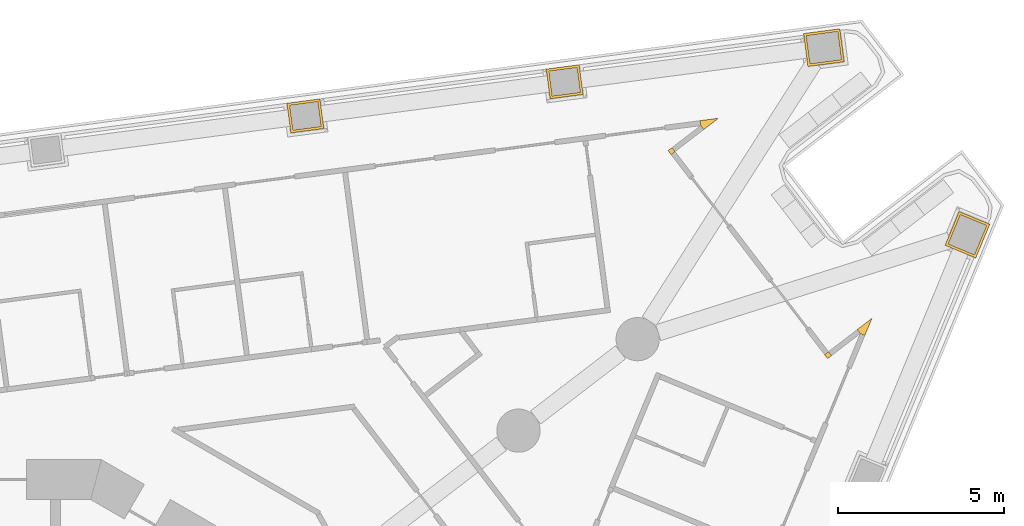
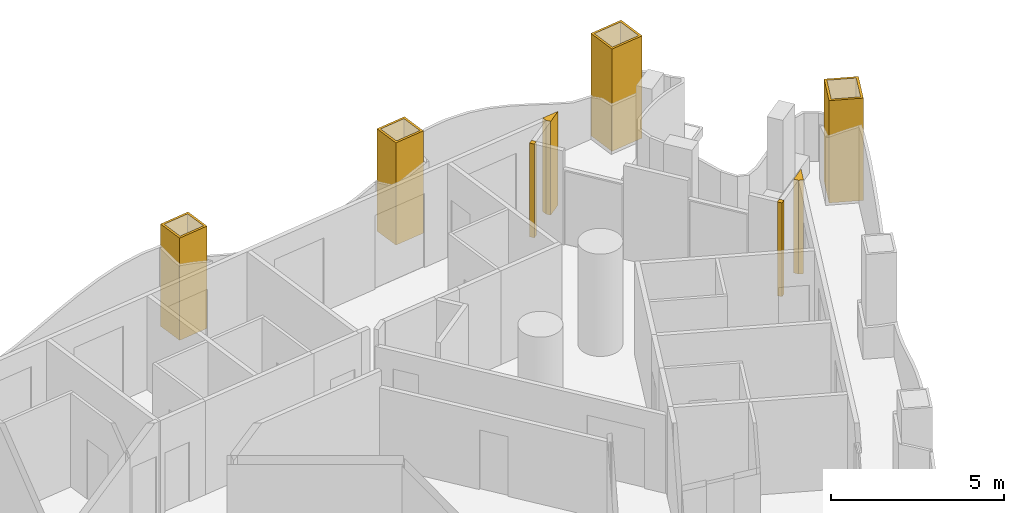
# One storey, part 18 of 19: 8 coverings.
"""IFC4 building model written with IfcOpenShell, lengths in metres."""

from ifc_helpers import new_model, si_unit, direction, frame, origin, place, context, subcontext, project, spatial, polyline, outline, extrude, material, layer, layer_set, type_object, element, save


model = new_model("IFC4")

# Units and contexts
model_context = context("Model", 3, precision=1e-05, world=origin(), true_north=direction((0.0, 1.0)))
body_context = subcontext(model_context, "Body", "Model", "MODEL_VIEW")
ifc_project = project(units=[si_unit("LENGTHUNIT", "METRE"), si_unit("AREAUNIT", "SQUARE_METRE"), si_unit("VOLUMEUNIT", "CUBIC_METRE"), si_unit("PLANEANGLEUNIT", "RADIAN"), si_unit("MASSUNIT", "GRAM", prefix="KILO")], contexts=[model_context])

# Site, building, storey
site_placement = place(None, origin())
site = spatial("IfcSite", under=ifc_project, at=site_placement, CompositionType="ELEMENT")
building_placement = place(site_placement, origin())
building = spatial("IfcBuilding", under=site, at=building_placement, Name="Trine Commons Tower", CompositionType="ELEMENT")
storey_placement = place(building_placement, frame((0.0, 0.0, 54.0)))
storey = spatial("IfcBuildingStorey", under=building, at=storey_placement, Name="L12", CompositionType="ELEMENT", Elevation=54.0)

# Coverings
ifc_material_1 = material(Name="Aluminium-framed insulated wall panel", Category="aluminium")
ifc_layer_1 = layer(ifc_material_1, 0.14990234375)
ifc_layer_set_1 = layer_set([ifc_layer_1], Name="Aluminium-framed insulated wall panel")
covering_type_1 = type_object("IfcCoveringType", Name="Glazing corner post, aluminium", PredefinedType="CLADDING", material=ifc_layer_set_1)
covering_1_placement = place(storey_placement, origin())
element("IfcCovering", 1, at=covering_1_placement, inside=storey, type_object=covering_type_1, Name="Glazing corner post 2-05", PredefinedType="CLADDING", context=body_context, shape_type="SweptSolid", body=[
    extrude(outline(polyline([(101.056396484375, 83.434326171875), (101.50048828125, 83.775146484375), (100.945556640625, 83.7021484375), (100.965087890625, 83.553466796875), (101.056396484375, 83.434326171875)])), origin(), (0.0, 0.0, 1.0), 3.300048828125),
])
covering_2_placement = place(storey_placement, origin())
element("IfcCovering", 2, at=covering_2_placement, inside=storey, type_object=covering_type_1, Name="Glazing corner post 2-06", PredefinedType="CLADDING", context=body_context, shape_type="SweptSolid", body=[
    extrude(outline(polyline([(100.076171875, 82.68212890625), (100.195068359375, 82.7734375), (100.103759765625, 82.892333984375), (99.98486328125, 82.801025390625), (100.076171875, 82.68212890625)])), origin(), (0.0, 0.0, 1.0), 3.300048828125),
])
covering_3_placement = place(storey_placement, origin())
element("IfcCovering", 3, at=covering_3_placement, inside=storey, type_object=covering_type_1, Name="Glazing corner post 2-07", PredefinedType="CLADDING", context=body_context, shape_type="SweptSolid", body=[
    extrude(outline(polyline([(104.6904296875, 76.66845703125), (104.78173828125, 76.549560546875), (104.90087890625, 76.640869140625), (104.8095703125, 76.759765625), (104.6904296875, 76.66845703125)])), origin(), (0.0, 0.0, 1.0), 3.300048828125),
])
covering_4_placement = place(storey_placement, origin())
element("IfcCovering", 4, at=covering_4_placement, inside=storey, type_object=covering_type_1, Name="Glazing corner post 2-08", PredefinedType="CLADDING", context=body_context, shape_type="SweptSolid", body=[
    extrude(outline(polyline([(105.90087890625, 77.244384765625), (106.114990234375, 77.761474609375), (105.6708984375, 77.4208984375), (105.76220703125, 77.3017578125), (105.90087890625, 77.244384765625)])), origin(), (0.0, 0.0, 1.0), 3.300048828125),
])
ifc_material_2 = material(Name="Limestone, honed", Category="masonry")
ifc_layer_2 = layer(ifc_material_2, 0.074951171875)
ifc_layer_set_2 = layer_set([ifc_layer_2], Name="Limestone, honed")
covering_type_2 = type_object("IfcCoveringType", Name="Limestone column cladding 75", PredefinedType="CLADDING", material=ifc_layer_set_2)
covering_5_placement = place(storey_placement, origin())
element("IfcCovering", 5, at=covering_5_placement, inside=storey, type_object=covering_type_2, Name="Limestone pier cladding 2-14", PredefinedType="CLADDING", context=body_context, shape_type="SweptSolid", body=[
    extrude(outline(polyline([(89.636962890625, 83.464111328125), (89.519287109375, 84.356201171875), (88.52783203125, 84.225830078125), (88.6455078125, 83.33349609375), (89.636962890625, 83.464111328125)]), holes=[polyline([(89.552734375, 83.528564453125), (89.454833984375, 84.272216796875), (88.612060546875, 84.1611328125), (88.7099609375, 83.41748046875), (89.552734375, 83.528564453125)])]), origin(), (0.0, 0.0, 1.0), 3.60009765625),
])
covering_6_placement = place(storey_placement, origin())
element("IfcCovering", 6, at=covering_6_placement, inside=storey, type_object=covering_type_2, Name="Limestone pier cladding 2-15", PredefinedType="CLADDING", context=body_context, shape_type="SweptSolid", body=[
    extrude(outline(polyline([(97.43017578125, 84.489990234375), (97.312744140625, 85.38232421875), (96.3212890625, 85.251708984375), (96.438720703125, 84.359619140625), (97.43017578125, 84.489990234375)]), holes=[polyline([(97.345947265625, 84.5546875), (97.248046875, 85.298095703125), (96.405517578125, 85.187255859375), (96.50341796875, 84.443603515625), (97.345947265625, 84.5546875)])]), origin(), (0.0, 0.0, 1.0), 3.60009765625),
])
covering_7_placement = place(storey_placement, origin())
element("IfcCovering", 7, at=covering_7_placement, inside=storey, type_object=covering_type_2, Name="Limestone pier cladding 2-16", PredefinedType="CLADDING", context=body_context, shape_type="SweptSolid", body=[
    extrude(outline(polyline([(105.279541015625, 85.472900390625), (105.14892578125, 86.46435546875), (104.058349609375, 86.32080078125), (104.18896484375, 85.329345703125), (105.279541015625, 85.472900390625)]), holes=[polyline([(105.1953125, 85.53759765625), (105.08447265625, 86.38037109375), (104.142578125, 86.25634765625), (104.25341796875, 85.41357421875), (105.1953125, 85.53759765625)])]), origin(), (0.0, 0.0, 1.0), 3.60009765625),
])
covering_8_placement = place(storey_placement, origin())
element("IfcCovering", 8, at=covering_8_placement, inside=storey, type_object=covering_type_2, Name="Limestone pier cladding 2-17", PredefinedType="CLADDING", context=body_context, shape_type="SweptSolid", body=[
    extrude(outline(polyline([(109.65673828125, 80.589599609375), (108.73291015625, 80.972412109375), (108.31201171875, 79.9560546875), (109.23583984375, 79.5732421875), (109.65673828125, 80.589599609375)]), holes=[polyline([(109.558837890625, 80.549072265625), (108.7734375, 80.874267578125), (108.409912109375, 79.99658203125), (109.1953125, 79.67138671875), (109.558837890625, 80.549072265625)])]), origin(), (0.0, 0.0, 1.0), 3.60009765625),
])

save(model, "model.ifc")
